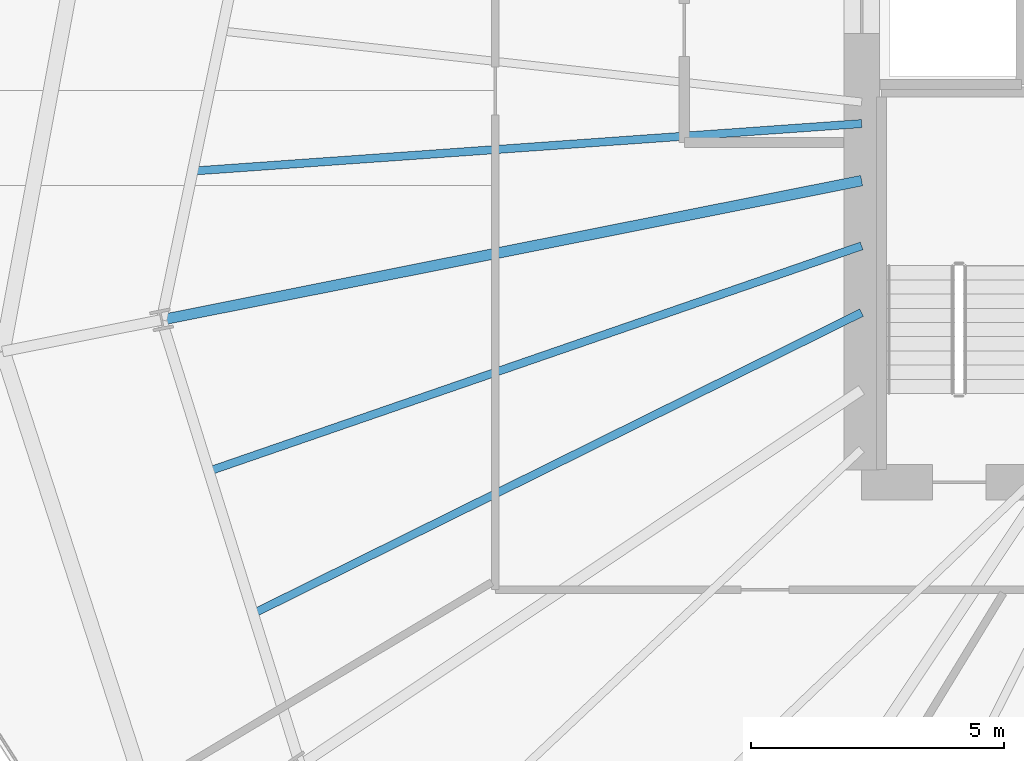
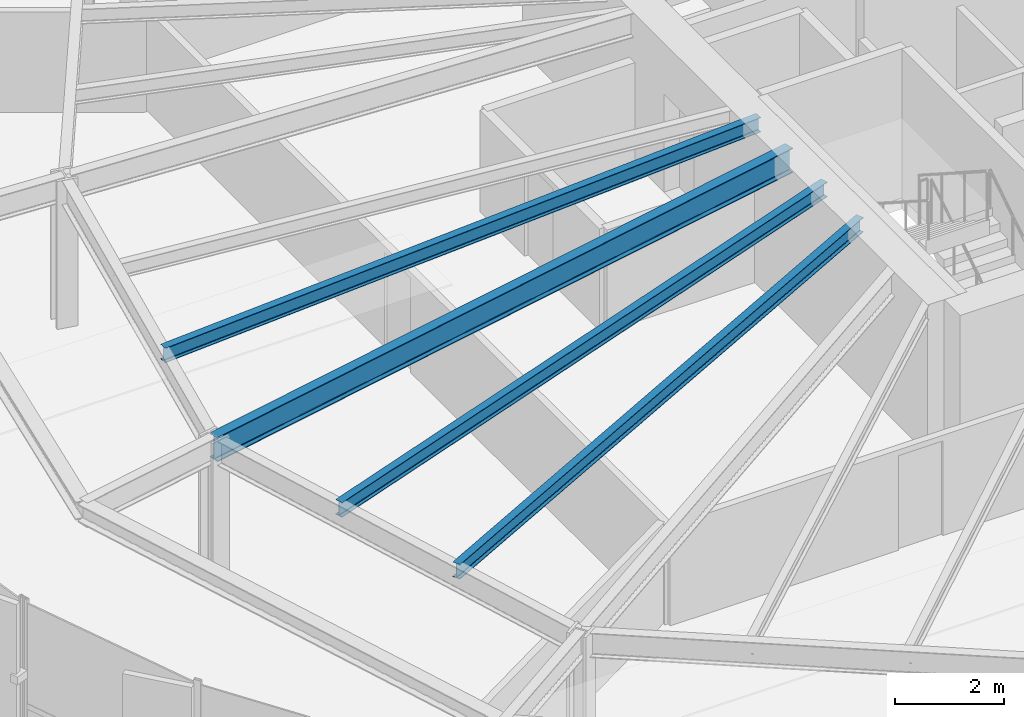
# One storey, part 8 of 35: 4 beams.
"""IFC4 building model written with IfcOpenShell, lengths in metres."""

from ifc_helpers import new_model, si_unit, direction, frame, origin, origin_2d, place, context, subcontext, project, spatial, i_section, extrude, source, transform, mapped, material, material_profile, profile_set, type_object, element, save


model = new_model("IFC4")

# Units and contexts
model_context = context("Model", 3, precision=1e-05, world=origin(), true_north=direction((0.0, 1.0)))
body_context = subcontext(model_context, "Body", "Model", "MODEL_VIEW")
ifc_project = project(units=[si_unit("LENGTHUNIT", "METRE"), si_unit("AREAUNIT", "SQUARE_METRE"), si_unit("VOLUMEUNIT", "CUBIC_METRE"), si_unit("PLANEANGLEUNIT", "RADIAN"), si_unit("MASSUNIT", "GRAM", prefix="KILO"), si_unit("THERMODYNAMICTEMPERATUREUNIT", "KELVIN")], contexts=[model_context])

# Site, building, storey
site_placement = place(None, origin())
site = spatial("IfcSite", under=ifc_project, at=site_placement, CompositionType="ELEMENT")
building_placement = place(site_placement, origin())
building = spatial("IfcBuilding", under=site, at=building_placement, Name="Kethvar Cultural Tower", CompositionType="ELEMENT")
storey_placement = place(building_placement, frame((0.0, 0.0, 92.800048828125)))
storey = spatial("IfcBuildingStorey", under=building, at=storey_placement, Name="L22", CompositionType="ELEMENT", Elevation=92.800048828125)

# Beams
ifc_material = material(Name="Steel S355J2", Category="steel")
ifc_material_profile_1 = material_profile(ifc_material, i_section(OverallWidth=0.2099609375, OverallDepth=0.550048828125, WebThickness=0.010986328125, FlangeThickness=0.01708984375, FilletRadius=0.02392578125, at=origin_2d()), Name="Steel S355J2 — IPE550")
ifc_profile_set_1 = profile_set([ifc_material_profile_1], Name="Steel S355J2 — IPE550")
beam_type_1 = type_object("IfcBeamType", Name="BM-IPE550", PredefinedType="BEAM", material=ifc_profile_set_1)
shared_shape_1 = source(origin(), body_context, "Body", "SweptSolid", [
    extrude(i_section(OverallWidth=0.2099609375, OverallDepth=0.550048828125, WebThickness=0.010986328125, FlangeThickness=0.01708984375, FilletRadius=0.02392578125, at=origin_2d()), origin(), (0.0, 0.0, 1.0), 14.085205078125),
])
beam_1_placement = place(storey_placement, frame((38.0, 26.049560546875, 3.072998046875), z_axis=(-0.98078679373, -0.195082713854, 0.0), x_axis=(0.195082713854, -0.98078679373, 0.0)))
element("IfcBeam", 1, at=beam_1_placement, inside=storey, type_object=beam_type_1, Name="L22 Primary Radial Beam RB-09", PredefinedType="BEAM", context=body_context, shape_type="MappedRepresentation", body=[
    mapped(shared_shape_1, transform((0.0, 0.0, 0.0), scale=1.0)),
])
ifc_material_profile_2 = material_profile(ifc_material, i_section(OverallWidth=0.159912109375, OverallDepth=0.330078125, WebThickness=0.007568359375, FlangeThickness=0.011474609375, FilletRadius=0.01806640625, at=origin_2d()), Name="Steel S355J2 — IPE330")
ifc_profile_set_2 = profile_set([ifc_material_profile_2], Name="Steel S355J2 — IPE330")
beam_type_2 = type_object("IfcBeamType", Name="BM-J330", PredefinedType="JOIST", material=ifc_profile_set_2)
shared_shape_2 = source(origin(), body_context, "Body", "SweptSolid", [
    extrude(i_section(OverallWidth=0.159912109375, OverallDepth=0.330078125, WebThickness=0.007568359375, FlangeThickness=0.011474609375, FilletRadius=0.01806640625, at=origin_2d()), origin(), (0.0, 0.0, 1.0), 13.234619140625),
])
beam_2_placement = place(storey_placement, frame((38.0, 27.175537109375, 3.182861328125), z_axis=(-0.997490530945, -0.070800004767, 0.0), x_axis=(0.070800004767, -0.997490530945, 0.0)))
element("IfcBeam", 2, at=beam_2_placement, inside=storey, type_object=beam_type_2, Name="L22 Composite Floor Joist J-08B", PredefinedType="JOIST", context=body_context, shape_type="MappedRepresentation", body=[
    mapped(shared_shape_2, transform((0.0, 0.0, 0.0), scale=1.0)),
])
shared_shape_3 = source(origin(), body_context, "Body", "SweptSolid", [
    extrude(i_section(OverallWidth=0.159912109375, OverallDepth=0.330078125, WebThickness=0.007568359375, FlangeThickness=0.011474609375, FilletRadius=0.01806640625, at=origin_2d()), origin(), (0.0, 0.0, 1.0), 13.630615234375),
])
beam_3_placement = place(storey_placement, frame((38.0, 24.762451171875, 3.182861328125), z_axis=(-0.945269577646, -0.326290400682, 0.0), x_axis=(0.326290400682, -0.945269577646, 0.0)))
element("IfcBeam", 3, at=beam_3_placement, inside=storey, type_object=beam_type_2, Name="L22 Composite Floor Joist J-09A", PredefinedType="JOIST", context=body_context, shape_type="MappedRepresentation", body=[
    mapped(shared_shape_3, transform((0.0, 0.0, 0.0), scale=1.0)),
])
shared_shape_4 = source(origin(), body_context, "Body", "SweptSolid", [
    extrude(i_section(OverallWidth=0.159912109375, OverallDepth=0.330078125, WebThickness=0.007568359375, FlangeThickness=0.011474609375, FilletRadius=0.01806640625, at=origin_2d()), origin(), (0.0, 0.0, 1.0), 13.39892578125),
])
beam_4_placement = place(storey_placement, frame((38.0, 23.44580078125, 3.182861328125), z_axis=(-0.896292467417, -0.44346342899, 0.0), x_axis=(0.44346342899, -0.896292467417, 0.0)))
element("IfcBeam", 4, at=beam_4_placement, inside=storey, type_object=beam_type_2, Name="L22 Composite Floor Joist J-09B", PredefinedType="JOIST", context=body_context, shape_type="MappedRepresentation", body=[
    mapped(shared_shape_4, transform((0.0, 0.0, 0.0), scale=1.0)),
])

save(model, "model.ifc")
